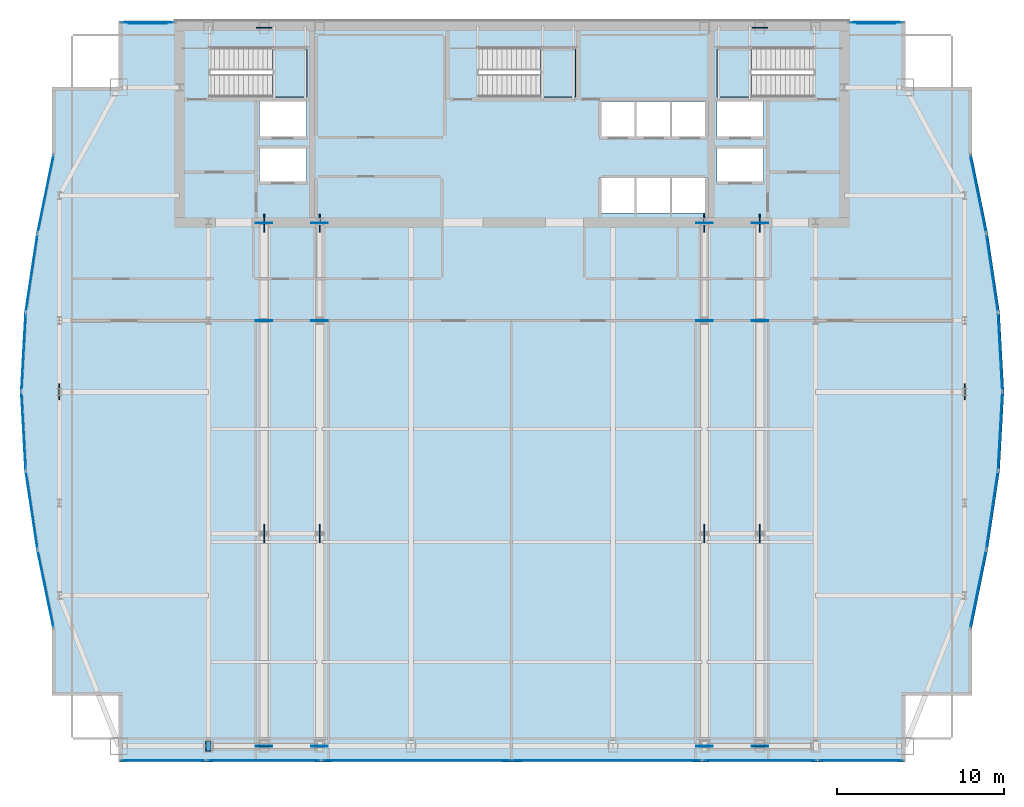
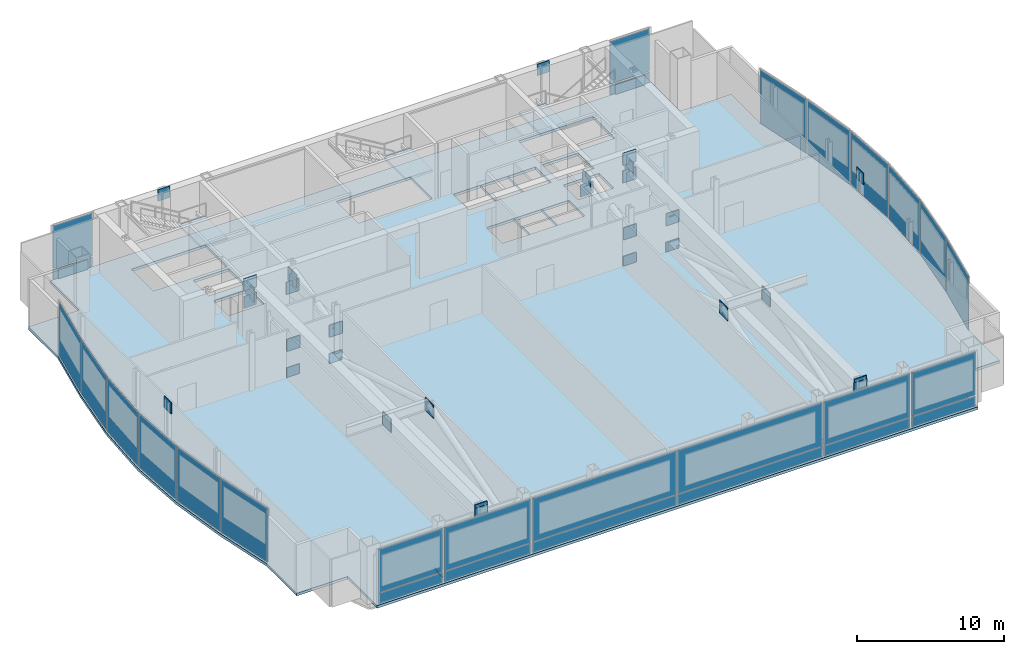
# One storey, part 26 of 32: 65 plates, 4 slabs, 22 elements without a shape of their own.
"""IFC4 building model written with IfcOpenShell, lengths in metres."""

import ifcopenshell
import ifcopenshell.guid

model = None  # the IFC model being written
_history = None  # IfcOwnerHistory: only IFC2X3 demands one
_inside = {}  # id of a spatial element -> (the spatial element, [elements in it])
_under = {}  # id of a project, library or spatial element -> (it, [spatial elements below it])
_declared = {}  # id of a project -> (the project, [libraries it declares])
_typed = {}  # id of a type object -> (the type object, [elements of that type])
_made_of = {}  # id of a material, layer set ... -> (it, [elements and type objects made of it])


def new_model(schema):
    """Start an empty IFC model of exactly this schema.

    Asked for "IFC4X3", IfcOpenShell would pick the latest addendum, in which some entities
    have other attributes; the version numbers below select the first issue.
    IFC2X3 requires an IfcOwnerHistory on every rooted entity: one is made here for all.
    """
    global model, _history
    if schema == "IFC4X3":
        model = ifcopenshell.file(schema_version=(4, 3, 0, 0))
    else:
        model = ifcopenshell.file(schema=schema)
    _inside.clear()
    _under.clear()
    _declared.clear()
    _typed.clear()
    _made_of.clear()
    _history = None
    if model.schema == "IFC2X3":
        org = make("IfcOrganization", Name="unknown")
        user = make(
            "IfcPersonAndOrganization",
            ThePerson=make("IfcPerson", FamilyName="unknown"),
            TheOrganization=org,
        )
        app = make(
            "IfcApplication",
            ApplicationDeveloper=org,
            Version="unknown",
            ApplicationFullName="unknown",
            ApplicationIdentifier="unknown",
        )
        _history = make(
            "IfcOwnerHistory",
            OwningUser=user,
            OwningApplication=app,
            ChangeAction="ADDED",
            CreationDate=0,
        )
    return model


def make(cls, **values):
    """One entity of the class cls with the attributes given. An attribute that is None is left unset."""
    return model.create_entity(
        cls, **{name: value for name, value in values.items() if value is not None}
    )


def rooted(cls, **values):
    """An entity with a GlobalId (a new one), such as an element, a storey or a relation."""
    return make(cls, GlobalId=ifcopenshell.guid.new(), OwnerHistory=_history, **values)


def si_unit(unit_type, name, prefix=None):
    """IfcSIUnit, for example si_unit("LENGTHUNIT", "METRE", prefix="MILLI")."""
    return make("IfcSIUnit", UnitType=unit_type, Prefix=prefix, Name=name)


def assignment(units):
    """IfcUnitAssignment: the units of a project."""
    return None if units is None else make("IfcUnitAssignment", Units=units)


def point(xyz):
    """IfcCartesianPoint."""
    return None if xyz is None else make("IfcCartesianPoint", Coordinates=xyz)


def direction(xyz):
    """IfcDirection."""
    return None if xyz is None else make("IfcDirection", DirectionRatios=xyz)


def frame(location, z_axis=None, x_axis=None):
    """IfcAxis2Placement3D, a coordinate frame: its origin and axes. An axis left out is left unset."""
    return make(
        "IfcAxis2Placement3D",
        Location=point(location),
        Axis=direction(z_axis),
        RefDirection=direction(x_axis),
    )


def frame_2d(location, x_axis=None):
    """IfcAxis2Placement2D, a coordinate frame in the plane: its origin and x axis."""
    return make(
        "IfcAxis2Placement2D", Location=point(location), RefDirection=direction(x_axis)
    )


def origin():
    """The frame at (0, 0, 0) with its axes left unset."""
    return frame((0.0, 0.0, 0.0))


def origin_2d():
    """The frame at (0, 0) in the plane with its x axis left unset."""
    return frame_2d((0.0, 0.0))


def place(relative_to, where):
    """IfcLocalPlacement: puts the frame where relative to a parent placement (None: the world)."""
    return make(
        "IfcLocalPlacement", PlacementRelTo=relative_to, RelativePlacement=where
    )


def context(
    kind, dimensions, precision=None, world=None, true_north=None, identifier=None
):
    """IfcGeometricRepresentationContext, for example the 3D "Model" context."""
    return make(
        "IfcGeometricRepresentationContext",
        ContextIdentifier=identifier,
        ContextType=kind,
        CoordinateSpaceDimension=dimensions,
        Precision=precision,
        WorldCoordinateSystem=world,
        TrueNorth=true_north,
    )


def subcontext(parent, identifier, kind, view, scale=None):
    """IfcGeometricRepresentationSubContext, for example "Body" below "Model"."""
    return make(
        "IfcGeometricRepresentationSubContext",
        ContextIdentifier=identifier,
        ContextType=kind,
        ParentContext=parent,
        TargetScale=scale,
        TargetView=view,
    )


def project(units=None, contexts=None):
    """IfcProject with its units and contexts."""
    return rooted(
        "IfcProject",
        Name="project",
        RepresentationContexts=contexts,
        UnitsInContext=assignment(units),
    )


def spatial(cls, under=None, at=None, **own):
    """A site, building, storey or space (cls), placed at a placement, below another one or the project."""
    s = rooted(cls, ObjectPlacement=at, **own)
    if under is not None:
        _under.setdefault(under.id(), (under, []))[1].append(s)
    return s


def polyline(points):
    """IfcPolyline through the points."""
    return make("IfcPolyline", Points=[point(p) for p in points])


def profile(cls, at=None, kind="AREA", **sizes):
    """A parametric profile (cls). Its sizes go by their IFC names, for example OverallWidth=200.0."""
    return make(cls, ProfileType=kind, Position=at, **sizes)


def rectangle(**sizes):
    """IfcRectangleProfileDef."""
    return profile("IfcRectangleProfileDef", **sizes)


def outline(outer, holes=None, kind="AREA"):
    """IfcArbitraryClosedProfileDef: a profile drawn as a closed curve; with holes, ...WithVoids."""
    if holes is None:
        return make("IfcArbitraryClosedProfileDef", ProfileType=kind, OuterCurve=outer)
    return make(
        "IfcArbitraryProfileDefWithVoids",
        ProfileType=kind,
        OuterCurve=outer,
        InnerCurves=holes,
    )


def extrude(swept, where, along, depth):
    """IfcExtrudedAreaSolid: the profile swept, set in the frame where, extruded along a direction by depth."""
    return make(
        "IfcExtrudedAreaSolid",
        SweptArea=swept,
        Position=where,
        ExtrudedDirection=direction(along),
        Depth=depth,
    )


def shape(context_of_items, identifier, shape_type, items):
    """IfcShapeRepresentation: the items that make up one representation, for example the "Body"."""
    return make(
        "IfcShapeRepresentation",
        ContextOfItems=context_of_items,
        RepresentationIdentifier=identifier,
        RepresentationType=shape_type,
        Items=items,
    )


def material(Name=None, Category=None):
    """IfcMaterial."""
    return make("IfcMaterial", Name=Name, Category=Category)


def layer(
    of_material, thickness, ventilated=None, Name=None, Category=None, Priority=None
):
    """IfcMaterialLayer: one layer of a wall or slab, of a material (None: an air gap)."""
    return make(
        "IfcMaterialLayer",
        Material=of_material,
        LayerThickness=thickness,
        IsVentilated=ventilated,
        Name=Name,
        Category=Category,
        Priority=Priority,
    )


def layer_set(layers, Name=None):
    """IfcMaterialLayerSet."""
    return make("IfcMaterialLayerSet", MaterialLayers=layers, LayerSetName=Name)


def made_of(thing, what):
    """Note that an element or type object is made of a material, layer set ...; save() writes the relation."""
    if what is not None:
        _made_of.setdefault(what.id(), (what, []))[1].append(thing)
    return thing


def type_object(cls, material=None, **own):
    """A type object (cls), such as IfcWallType, which elements share."""
    return made_of(rooted(cls, **own), material)


def element(
    cls,
    number,
    at=None,
    inside=None,
    cuts=None,
    type_object=None,
    material=None,
    context=None,
    identifier="Body",
    shape_type=None,
    held_by="IfcProductDefinitionShape",
    body=None,
    shapes=None,
    **own,
):
    """One element of the class cls, such as IfcWall. Its Tag is "e" and its number.

    at: its placement. inside: the storey or other place that contains it. cuts: it is an
    opening in that element (IfcRelVoidsElement). A single representation is given by context,
    identifier, shape_type and body (its items); several are given by shapes. held_by: the class
    of the entity that holds the representations. save() writes the other relations.
    """
    e = rooted(cls, Tag="e%d" % number, ObjectPlacement=at, **own)
    if body is not None:
        shapes = [shape(context, identifier, shape_type, body)]
    if shapes is not None:
        e.Representation = make(held_by, Representations=shapes)
    if inside is not None:
        _inside.setdefault(inside.id(), (inside, []))[1].append(e)
    if cuts is not None:
        rooted(
            "IfcRelVoidsElement", RelatingBuildingElement=cuts, RelatedOpeningElement=e
        )
    if type_object is not None:
        _typed.setdefault(type_object.id(), (type_object, []))[1].append(e)
    return made_of(e, material)


def aggregate(whole, parts):
    """IfcRelAggregates: a whole, such as a stair, and the parts it consists of."""
    return rooted("IfcRelAggregates", RelatingObject=whole, RelatedObjects=parts)


def save(model, path):
    """Write the relations noted so far, then the file.

    IfcRelAggregates (storeys below a building ...), IfcRelContainedInSpatialStructure (elements
    in a storey), IfcRelDefinesByType, IfcRelAssociatesMaterial and IfcRelDeclares: one each for
    every whole, place, type object, material and project.
    """
    for whole, parts in _under.values():
        aggregate(whole, parts)
    for where, things in _inside.values():
        rooted(
            "IfcRelContainedInSpatialStructure",
            RelatedElements=things,
            RelatingStructure=where,
        )
    for kind, things in _typed.values():
        rooted("IfcRelDefinesByType", RelatedObjects=things, RelatingType=kind)
    for what, things in _made_of.values():
        rooted("IfcRelAssociatesMaterial", RelatedObjects=things, RelatingMaterial=what)
    for by, libraries in _declared.values():
        rooted("IfcRelDeclares", RelatingContext=by, RelatedDefinitions=libraries)
    model.write(path)


model = new_model("IFC4")

# Units and contexts
model_context = context("Model", 3, precision=1e-05, world=origin(), true_north=direction((0.0, 1.0)))
body_context = subcontext(model_context, "Body", "Model", "MODEL_VIEW")
ifc_project = project(units=[si_unit("LENGTHUNIT", "METRE"), si_unit("AREAUNIT", "SQUARE_METRE"), si_unit("VOLUMEUNIT", "CUBIC_METRE"), si_unit("PLANEANGLEUNIT", "RADIAN"), si_unit("MASSUNIT", "GRAM", prefix="KILO")], contexts=[model_context])

# Site, building, storey
site_placement = place(None, origin())
site = spatial("IfcSite", under=ifc_project, at=site_placement, CompositionType="ELEMENT")
building_placement = place(site_placement, origin())
building = spatial("IfcBuilding", under=site, at=building_placement, Name="Khoronbel Lancet Exchange", CompositionType="ELEMENT")
storey_placement = place(building_placement, frame((0.0, 0.0, 257.0)))
storey = spatial("IfcBuildingStorey", under=building, at=storey_placement, Name="L66", CompositionType="ELEMENT", Elevation=257.0)

# Curtain wall, plate
ifc_material_1 = material(Name="Low-E Solar Control Insulating Glass", Category="glass")
curtain_wall_type_1 = type_object("IfcCurtainWallType", Name="CW-4", PredefinedType="NOTDEFINED", material=ifc_material_1)
curtain_wall_1_placement = place(storey_placement, origin())
curtain_wall_1 = element("IfcCurtainWall", 1, at=curtain_wall_1_placement, inside=storey, type_object=curtain_wall_type_1, Name="Unitised curtain wall CW-L66-E05", PredefinedType="NOTDEFINED")
ifc_material_2 = material(Name="Bronze-Anodised Aluminium 6063-T6", Category="aluminium")
ifc_layer_1 = layer(ifc_material_2, 0.050048828125, Name="Bronze-Anodised Aluminium 6063-T6")
ifc_layer_set_1 = layer_set([ifc_layer_1], Name="Bronze-Anodised Aluminium 6063-T6")
plate_type_1 = type_object("IfcPlateType", Name="PLT-CSP1", PredefinedType="SHEET", material=ifc_layer_set_1)
plate_1_placement = place(storey_placement, frame((7.6142578125, 24.33740234375, 0.0849609375), z_axis=(0.0, 0.0, 1.0), x_axis=(-0.147869395619, 0.98900689676, 0.0)))
plate_1 = element("IfcPlate", 2, at=plate_1_placement, type_object=plate_type_1, Name="CW4 panel 1.1", PredefinedType="CURTAIN_PANEL", context=body_context, shape_type="SweptSolid", body=[
    extrude(rectangle(XDim=4.646240234375, YDim=0.0380859375, at=origin_2d()), origin(), (0.0, 0.0, 1.0), 4.469970703125),
])
aggregate(curtain_wall_1, [plate_1])

curtain_wall_2_placement = place(storey_placement, origin())
curtain_wall_2 = element("IfcCurtainWall", 3, at=curtain_wall_2_placement, inside=storey, type_object=curtain_wall_type_1, Name="Unitised curtain wall CW-L66-E06", PredefinedType="NOTDEFINED")
plate_2_placement = place(storey_placement, frame((7.1298828125, 29.07958984375, 0.0849609375), z_axis=(0.0, 0.0, 1.0), x_axis=(-0.05463363027, 0.998506467903, 0.0)))
plate_2 = element("IfcPlate", 4, at=plate_2_placement, type_object=plate_type_1, Name="CW4 panel 1.1", PredefinedType="CURTAIN_PANEL", context=body_context, shape_type="SweptSolid", body=[
    extrude(rectangle(XDim=4.597900390625, YDim=0.0380859375, at=origin_2d()), origin(), (0.0, 0.0, 1.0), 4.469970703125),
])
aggregate(curtain_wall_2, [plate_2])

curtain_wall_3_placement = place(storey_placement, origin())
curtain_wall_3 = element("IfcCurtainWall", 5, at=curtain_wall_3_placement, inside=storey, type_object=curtain_wall_type_1, Name="Unitised curtain wall CW-L66-E07", PredefinedType="NOTDEFINED")
plate_3_placement = place(storey_placement, frame((7.1298828125, 33.820556640625, 0.0849609375), z_axis=(0.0, 0.0, 1.0), x_axis=(0.05463363027, 0.998506467903, 0.0)))
plate_3 = element("IfcPlate", 6, at=plate_3_placement, type_object=plate_type_1, Name="CW4 panel 1.1", PredefinedType="CURTAIN_PANEL", context=body_context, shape_type="SweptSolid", body=[
    extrude(rectangle(XDim=4.597900390625, YDim=0.0380859375, at=origin_2d()), origin(), (0.0, 0.0, 1.0), 4.469970703125),
])
aggregate(curtain_wall_3, [plate_3])

curtain_wall_4_placement = place(storey_placement, origin())
curtain_wall_4 = element("IfcCurtainWall", 7, at=curtain_wall_4_placement, inside=storey, type_object=curtain_wall_type_1, Name="Unitised curtain wall CW-L66-E08", PredefinedType="NOTDEFINED")
plate_4_placement = place(storey_placement, frame((7.6142578125, 38.5625, 0.0849609375), z_axis=(0.0, 0.0, 1.0), x_axis=(0.147869395619, 0.98900689676, 0.0)))
plate_4 = element("IfcPlate", 8, at=plate_4_placement, type_object=plate_type_1, Name="CW4 panel 1.1", PredefinedType="CURTAIN_PANEL", context=body_context, shape_type="SweptSolid", body=[
    extrude(rectangle(XDim=4.646240234375, YDim=0.0380859375, at=origin_2d()), origin(), (0.0, 0.0, 1.0), 4.469970703125),
])
aggregate(curtain_wall_4, [plate_4])

curtain_wall_type_2 = type_object("IfcCurtainWallType", Name="CW-3", PredefinedType="NOTDEFINED", material=ifc_material_1)
curtain_wall_5_placement = place(storey_placement, origin())
curtain_wall_5 = element("IfcCurtainWall", 9, at=curtain_wall_5_placement, inside=storey, type_object=curtain_wall_type_2, Name="Unitised curtain wall CW-L66-NWFLK", PredefinedType="NOTDEFINED")
plate_5_placement = place(storey_placement, frame((14.580078125, 53.550048828125, 0.0498046875), z_axis=(0.0, 0.0, 1.0), x_axis=(-1.0, 0.0, 0.0)))
plate_5 = element("IfcPlate", 10, at=plate_5_placement, type_object=plate_type_1, Name="Insulated bronze spandrel cassette CW-L66-NWFLK", PredefinedType="SHEET", context=body_context, shape_type="SweptSolid", body=[
    extrude(rectangle(XDim=2.2958984375, YDim=0.050048828125, at=origin_2d()), origin(), (0.0, 0.0, 1.0), 0.800048828125),
])

curtain_wall_6_placement = place(storey_placement, origin())
curtain_wall_6 = element("IfcCurtainWall", 11, at=curtain_wall_6_placement, inside=storey, type_object=curtain_wall_type_2, Name="Unitised curtain wall CW-L66-NEFLK", PredefinedType="NOTDEFINED")
plate_6_placement = place(storey_placement, frame((58.320068359375, 53.550048828125, 0.0498046875), z_axis=(0.0, 0.0, 1.0), x_axis=(-1.0, 0.0, 0.0)))
plate_6 = element("IfcPlate", 12, at=plate_6_placement, type_object=plate_type_1, Name="Insulated bronze spandrel cassette CW-L66-NEFLK", PredefinedType="SHEET", context=body_context, shape_type="SweptSolid", body=[
    extrude(rectangle(XDim=2.2958984375, YDim=0.050048828125, at=origin_2d()), origin(), (0.0, 0.0, 1.0), 0.800048828125),
])

curtain_wall_7_placement = place(storey_placement, origin())
curtain_wall_7 = element("IfcCurtainWall", 13, at=curtain_wall_7_placement, inside=storey, type_object=curtain_wall_type_1, Name="Unitised curtain wall CW-L66-E18", PredefinedType="NOTDEFINED")
plate_7_placement = place(storey_placement, frame((65.285888671875, 38.5625, 0.0849609375), z_axis=(0.0, 0.0, 1.0), x_axis=(0.147869395619, -0.98900689676, 0.0)))
plate_7 = element("IfcPlate", 14, at=plate_7_placement, type_object=plate_type_1, Name="CW4 panel 1.1", PredefinedType="CURTAIN_PANEL", context=body_context, shape_type="SweptSolid", body=[
    extrude(rectangle(XDim=4.646240234375, YDim=0.0380859375, at=origin_2d()), origin(), (0.0, 0.0, 1.0), 4.469970703125),
])
aggregate(curtain_wall_7, [plate_7])

curtain_wall_8_placement = place(storey_placement, origin())
curtain_wall_8 = element("IfcCurtainWall", 15, at=curtain_wall_8_placement, inside=storey, type_object=curtain_wall_type_1, Name="Unitised curtain wall CW-L66-E19", PredefinedType="NOTDEFINED")
plate_8_placement = place(storey_placement, frame((65.77001953125, 33.820556640625, 0.0849609375), z_axis=(0.0, 0.0, 1.0), x_axis=(0.05463363027, -0.998506467903, 0.0)))
plate_8 = element("IfcPlate", 16, at=plate_8_placement, type_object=plate_type_1, Name="CW4 panel 1.1", PredefinedType="CURTAIN_PANEL", context=body_context, shape_type="SweptSolid", body=[
    extrude(rectangle(XDim=4.597900390625, YDim=0.0380859375, at=origin_2d()), origin(), (0.0, 0.0, 1.0), 4.469970703125),
])
aggregate(curtain_wall_8, [plate_8])

curtain_wall_9_placement = place(storey_placement, origin())
curtain_wall_9 = element("IfcCurtainWall", 17, at=curtain_wall_9_placement, inside=storey, type_object=curtain_wall_type_1, Name="Unitised curtain wall CW-L66-E20", PredefinedType="NOTDEFINED")
plate_9_placement = place(storey_placement, frame((65.77001953125, 29.07958984375, 0.0849609375), z_axis=(0.0, 0.0, 1.0), x_axis=(-0.05463363027, -0.998506467903, 0.0)))
plate_9 = element("IfcPlate", 18, at=plate_9_placement, type_object=plate_type_1, Name="CW4 panel 1.1", PredefinedType="CURTAIN_PANEL", context=body_context, shape_type="SweptSolid", body=[
    extrude(rectangle(XDim=4.597900390625, YDim=0.0380859375, at=origin_2d()), origin(), (0.0, 0.0, 1.0), 4.469970703125),
])
aggregate(curtain_wall_9, [plate_9])

curtain_wall_10_placement = place(storey_placement, origin())
curtain_wall_10 = element("IfcCurtainWall", 19, at=curtain_wall_10_placement, inside=storey, type_object=curtain_wall_type_1, Name="Unitised curtain wall CW-L66-E21", PredefinedType="NOTDEFINED")
plate_10_placement = place(storey_placement, frame((65.285888671875, 24.33740234375, 0.0849609375), z_axis=(0.0, 0.0, 1.0), x_axis=(-0.147869395619, -0.98900689676, 0.0)))
plate_10 = element("IfcPlate", 20, at=plate_10_placement, type_object=plate_type_1, Name="CW4 panel 1.1", PredefinedType="CURTAIN_PANEL", context=body_context, shape_type="SweptSolid", body=[
    extrude(rectangle(XDim=4.646240234375, YDim=0.0380859375, at=origin_2d()), origin(), (0.0, 0.0, 1.0), 4.469970703125),
])
aggregate(curtain_wall_10, [plate_10])

# Curtain wall, plates
curtain_wall_11_placement = place(storey_placement, origin())
curtain_wall_11 = element("IfcCurtainWall", 21, at=curtain_wall_11_placement, inside=storey, type_object=curtain_wall_type_2, Name="Unitised curtain wall CW-L66-SWB", PredefinedType="NOTDEFINED")
plate_11_placement = place(storey_placement, frame((21.550048828125, 9.2900390625, 0.0849609375), z_axis=(0.0, 0.0, 1.0), x_axis=(1.0, 0.0, 0.0)))
plate_11 = element("IfcPlate", 22, at=plate_11_placement, type_object=plate_type_1, Name="CW3 panel 1.1", PredefinedType="CURTAIN_PANEL", context=body_context, shape_type="SweptSolid", body=[
    extrude(rectangle(XDim=6.72998046875, YDim=0.0380859375, at=origin_2d()), origin(), (0.0, 0.0, 1.0), 0.822509765625),
])
plate_12_placement = place(storey_placement, frame((21.550048828125, 9.2900390625, 0.992431640625), z_axis=(0.0, 0.0, 1.0), x_axis=(1.0, 0.0, 0.0)))
plate_12 = element("IfcPlate", 23, at=plate_12_placement, type_object=plate_type_1, Name="CW3 panel 1.2", PredefinedType="CURTAIN_PANEL", context=body_context, shape_type="SweptSolid", body=[
    extrude(rectangle(XDim=6.72998046875, YDim=0.0380859375, at=origin_2d()), origin(), (0.0, 0.0, 1.0), 3.5625),
])
aggregate(curtain_wall_11, [plate_11, plate_12])

curtain_wall_12_placement = place(storey_placement, origin())
curtain_wall_12 = element("IfcCurtainWall", 24, at=curtain_wall_12_placement, inside=storey, type_object=curtain_wall_type_2, Name="Unitised curtain wall CW-L66-SEB", PredefinedType="NOTDEFINED")
plate_13_placement = place(storey_placement, frame((51.35009765625, 9.2900390625, 0.0849609375), z_axis=(0.0, 0.0, 1.0), x_axis=(1.0, 0.0, 0.0)))
plate_13 = element("IfcPlate", 25, at=plate_13_placement, type_object=plate_type_1, Name="CW3 panel 1.1", PredefinedType="CURTAIN_PANEL", context=body_context, shape_type="SweptSolid", body=[
    extrude(rectangle(XDim=6.72998046875, YDim=0.0380859375, at=origin_2d()), origin(), (0.0, 0.0, 1.0), 0.822509765625),
])
plate_14_placement = place(storey_placement, frame((51.35009765625, 9.2900390625, 0.992431640625), z_axis=(0.0, 0.0, 1.0), x_axis=(1.0, 0.0, 0.0)))
plate_14 = element("IfcPlate", 26, at=plate_14_placement, type_object=plate_type_1, Name="CW3 panel 1.2", PredefinedType="CURTAIN_PANEL", context=body_context, shape_type="SweptSolid", body=[
    extrude(rectangle(XDim=6.72998046875, YDim=0.0380859375, at=origin_2d()), origin(), (0.0, 0.0, 1.0), 3.5625),
])
aggregate(curtain_wall_12, [plate_13, plate_14])

# Plate
ifc_layer_2 = layer(ifc_material_1, 0.035888671875, Name="Low-E Solar Control Insulating Glass")
ifc_layer_set_2 = layer_set([ifc_layer_2], Name="Low-E Solar Control Insulating Glass")
plate_type_2 = type_object("IfcPlateType", Name="PLT-CWP1", PredefinedType="CURTAIN_PANEL", material=ifc_layer_set_2)
plate_15_placement = place(storey_placement, frame((14.580078125, 53.610107421875, 0.0849609375), z_axis=(0.0, 0.0, 1.0), x_axis=(-1.0, 0.0, 0.0)))
plate_15 = element("IfcPlate", 27, at=plate_15_placement, type_object=plate_type_2, Name="CW3 panel 1.1", PredefinedType="CURTAIN_PANEL", context=body_context, shape_type="SweptSolid", body=[
    extrude(rectangle(XDim=3.110107421875, YDim=0.0380859375, at=origin_2d()), origin(), (0.0, 0.0, 1.0), 0.822509765625),
])

plate_16_placement = place(storey_placement, frame((14.580078125, 53.610107421875, 0.992431640625), z_axis=(0.0, 0.0, 1.0), x_axis=(-1.0, 0.0, 0.0)))
plate_16 = element("IfcPlate", 28, at=plate_16_placement, type_object=plate_type_2, Name="CW3 panel 1.2", PredefinedType="CURTAIN_PANEL", context=body_context, shape_type="SweptSolid", body=[
    extrude(rectangle(XDim=3.110107421875, YDim=0.0380859375, at=origin_2d()), origin(), (0.0, 0.0, 1.0), 3.5625),
])

aggregate(curtain_wall_5, [plate_15, plate_16, plate_5])

plate_17_placement = place(storey_placement, frame((58.320068359375, 53.610107421875, 0.0849609375), z_axis=(0.0, 0.0, 1.0), x_axis=(-1.0, 0.0, 0.0)))
plate_17 = element("IfcPlate", 29, at=plate_17_placement, type_object=plate_type_2, Name="CW3 panel 1.1", PredefinedType="CURTAIN_PANEL", context=body_context, shape_type="SweptSolid", body=[
    extrude(rectangle(XDim=3.110107421875, YDim=0.0380859375, at=origin_2d()), origin(), (0.0, 0.0, 1.0), 0.822509765625),
])

plate_18_placement = place(storey_placement, frame((58.320068359375, 53.610107421875, 0.992431640625), z_axis=(0.0, 0.0, 1.0), x_axis=(-1.0, 0.0, 0.0)))
plate_18 = element("IfcPlate", 30, at=plate_18_placement, type_object=plate_type_2, Name="CW3 panel 1.2", PredefinedType="CURTAIN_PANEL", context=body_context, shape_type="SweptSolid", body=[
    extrude(rectangle(XDim=3.110107421875, YDim=0.0380859375, at=origin_2d()), origin(), (0.0, 0.0, 1.0), 3.5625),
])

aggregate(curtain_wall_6, [plate_17, plate_18, plate_6])

# Curtain wall, plates
curtain_wall_13_placement = place(storey_placement, origin())
curtain_wall_13 = element("IfcCurtainWall", 31, at=curtain_wall_13_placement, inside=storey, type_object=curtain_wall_type_2, Name="Unitised curtain wall CW-L66-SWV", PredefinedType="NOTDEFINED")
plate_19_placement = place(storey_placement, frame((15.52001953125, 9.2900390625, 0.0849609375), z_axis=(0.0, 0.0, 1.0), x_axis=(1.0, 0.0, 0.0)))
plate_19 = element("IfcPlate", 32, at=plate_19_placement, type_object=plate_type_2, Name="CW3 panel 1.1", PredefinedType="CURTAIN_PANEL", context=body_context, shape_type="SweptSolid", body=[
    extrude(rectangle(XDim=4.989990234375, YDim=0.0380859375, at=origin_2d()), origin(), (0.0, 0.0, 1.0), 0.822509765625),
])
plate_20_placement = place(storey_placement, frame((15.52001953125, 9.2900390625, 0.992431640625), z_axis=(0.0, 0.0, 1.0), x_axis=(1.0, 0.0, 0.0)))
plate_20 = element("IfcPlate", 33, at=plate_20_placement, type_object=plate_type_2, Name="CW3 panel 1.2", PredefinedType="CURTAIN_PANEL", context=body_context, shape_type="SweptSolid", body=[
    extrude(rectangle(XDim=4.989990234375, YDim=0.0380859375, at=origin_2d()), origin(), (0.0, 0.0, 1.0), 3.5625),
])
aggregate(curtain_wall_13, [plate_19, plate_20])

curtain_wall_14_placement = place(storey_placement, origin())
curtain_wall_14 = element("IfcCurtainWall", 34, at=curtain_wall_14_placement, inside=storey, type_object=curtain_wall_type_2, Name="Unitised curtain wall CW-L66-SCV", PredefinedType="NOTDEFINED")
plate_21_placement = place(storey_placement, frame((30.746337890625, 9.2900390625, 0.0849609375), z_axis=(0.0, 0.0, 1.0), x_axis=(1.0, 0.0, 0.0)))
plate_21 = element("IfcPlate", 35, at=plate_21_placement, type_object=plate_type_2, Name="CW3 panel 1.1", PredefinedType="CURTAIN_PANEL", context=body_context, shape_type="SweptSolid", body=[
    extrude(rectangle(XDim=11.322509765625, YDim=0.0380859375, at=origin_2d()), origin(), (0.0, 0.0, 1.0), 0.822509765625),
])
plate_22_placement = place(storey_placement, frame((30.746337890625, 9.2900390625, 0.992431640625), z_axis=(0.0, 0.0, 1.0), x_axis=(1.0, 0.0, 0.0)))
plate_22 = element("IfcPlate", 36, at=plate_22_placement, type_object=plate_type_2, Name="CW3 panel 1.2", PredefinedType="CURTAIN_PANEL", context=body_context, shape_type="SweptSolid", body=[
    extrude(rectangle(XDim=11.322509765625, YDim=0.0380859375, at=origin_2d()), origin(), (0.0, 0.0, 1.0), 3.5625),
])
plate_23_placement = place(storey_placement, frame((42.15380859375, 9.2900390625, 0.0849609375), z_axis=(0.0, 0.0, 1.0), x_axis=(1.0, 0.0, 0.0)))
plate_23 = element("IfcPlate", 37, at=plate_23_placement, type_object=plate_type_2, Name="CW3 panel 2.1", PredefinedType="CURTAIN_PANEL", context=body_context, shape_type="SweptSolid", body=[
    extrude(rectangle(XDim=11.322509765625, YDim=0.0380859375, at=origin_2d()), origin(), (0.0, 0.0, 1.0), 0.822509765625),
])
plate_24_placement = place(storey_placement, frame((42.15380859375, 9.2900390625, 0.992431640625), z_axis=(0.0, 0.0, 1.0), x_axis=(1.0, 0.0, 0.0)))
plate_24 = element("IfcPlate", 38, at=plate_24_placement, type_object=plate_type_2, Name="CW3 panel 2.2", PredefinedType="CURTAIN_PANEL", context=body_context, shape_type="SweptSolid", body=[
    extrude(rectangle(XDim=11.322509765625, YDim=0.0380859375, at=origin_2d()), origin(), (0.0, 0.0, 1.0), 3.5625),
])
aggregate(curtain_wall_14, [plate_21, plate_22, plate_23, plate_24])

curtain_wall_15_placement = place(storey_placement, origin())
curtain_wall_15 = element("IfcCurtainWall", 39, at=curtain_wall_15_placement, inside=storey, type_object=curtain_wall_type_2, Name="Unitised curtain wall CW-L66-SEV", PredefinedType="NOTDEFINED")
plate_25_placement = place(storey_placement, frame((57.3798828125, 9.2900390625, 0.0849609375), z_axis=(0.0, 0.0, 1.0), x_axis=(1.0, 0.0, 0.0)))
plate_25 = element("IfcPlate", 40, at=plate_25_placement, type_object=plate_type_2, Name="CW3 panel 1.1", PredefinedType="CURTAIN_PANEL", context=body_context, shape_type="SweptSolid", body=[
    extrude(rectangle(XDim=4.989990234375, YDim=0.0380859375, at=origin_2d()), origin(), (0.0, 0.0, 1.0), 0.822509765625),
])
plate_26_placement = place(storey_placement, frame((57.3798828125, 9.2900390625, 0.992431640625), z_axis=(0.0, 0.0, 1.0), x_axis=(1.0, 0.0, 0.0)))
plate_26 = element("IfcPlate", 41, at=plate_26_placement, type_object=plate_type_2, Name="CW3 panel 1.2", PredefinedType="CURTAIN_PANEL", context=body_context, shape_type="SweptSolid", body=[
    extrude(rectangle(XDim=4.989990234375, YDim=0.0380859375, at=origin_2d()), origin(), (0.0, 0.0, 1.0), 3.5625),
])
aggregate(curtain_wall_15, [plate_25, plate_26])

# Curtain wall, plate
curtain_wall_16_placement = place(storey_placement, origin())
curtain_wall_16 = element("IfcCurtainWall", 42, at=curtain_wall_16_placement, inside=storey, type_object=curtain_wall_type_1, Name="Unitised curtain wall CW-L66-E04", PredefinedType="NOTDEFINED")
ifc_material_3 = material(Name="Ceramic-Fritted Laminated Insulating Glass", Category="glass")
ifc_layer_3 = layer(ifc_material_3, 0.0419921875, Name="Ceramic-Fritted Laminated Insulating Glass")
ifc_layer_set_3 = layer_set([ifc_layer_3], Name="Ceramic-Fritted Laminated Insulating Glass")
plate_type_3 = type_object("IfcPlateType", Name="PLT-CWP2", PredefinedType="CURTAIN_PANEL", material=ifc_layer_set_3)
plate_27_placement = place(storey_placement, frame((8.454345703125, 19.58740234375, 0.0849609375), z_axis=(0.0, 0.0, 1.0), x_axis=(-0.200052024611, 0.979785276195, 0.0)))
plate_27 = element("IfcPlate", 43, at=plate_27_placement, type_object=plate_type_3, Name="CW4 panel 1.1", PredefinedType="CURTAIN_PANEL", context=body_context, shape_type="SweptSolid", body=[
    extrude(rectangle(XDim=4.704833984375, YDim=0.0380859375, at=origin_2d()), origin(), (0.0, 0.0, 1.0), 4.469970703125),
])
aggregate(curtain_wall_16, [plate_27])

curtain_wall_17_placement = place(storey_placement, origin())
curtain_wall_17 = element("IfcCurtainWall", 44, at=curtain_wall_17_placement, inside=storey, type_object=curtain_wall_type_1, Name="Unitised curtain wall CW-L66-E09", PredefinedType="NOTDEFINED")
plate_28_placement = place(storey_placement, frame((8.454345703125, 43.3125, 0.0849609375), z_axis=(0.0, 0.0, 1.0), x_axis=(0.200052024611, 0.979785276195, 0.0)))
plate_28 = element("IfcPlate", 45, at=plate_28_placement, type_object=plate_type_3, Name="CW4 panel 1.1", PredefinedType="CURTAIN_PANEL", context=body_context, shape_type="SweptSolid", body=[
    extrude(rectangle(XDim=4.704833984375, YDim=0.0380859375, at=origin_2d()), origin(), (0.0, 0.0, 1.0), 4.469970703125),
])
aggregate(curtain_wall_17, [plate_28])

curtain_wall_18_placement = place(storey_placement, origin())
curtain_wall_18 = element("IfcCurtainWall", 46, at=curtain_wall_18_placement, inside=storey, type_object=curtain_wall_type_1, Name="Unitised curtain wall CW-L66-E17", PredefinedType="NOTDEFINED")
plate_29_placement = place(storey_placement, frame((64.445556640625, 43.3125, 0.0849609375), z_axis=(0.0, 0.0, 1.0), x_axis=(0.200052024611, -0.979785276195, 0.0)))
plate_29 = element("IfcPlate", 47, at=plate_29_placement, type_object=plate_type_3, Name="CW4 panel 1.1", PredefinedType="CURTAIN_PANEL", context=body_context, shape_type="SweptSolid", body=[
    extrude(rectangle(XDim=4.704833984375, YDim=0.0380859375, at=origin_2d()), origin(), (0.0, 0.0, 1.0), 4.469970703125),
])
aggregate(curtain_wall_18, [plate_29])

curtain_wall_19_placement = place(storey_placement, origin())
curtain_wall_19 = element("IfcCurtainWall", 48, at=curtain_wall_19_placement, inside=storey, type_object=curtain_wall_type_1, Name="Unitised curtain wall CW-L66-E22", PredefinedType="NOTDEFINED")
plate_30_placement = place(storey_placement, frame((64.445556640625, 19.58740234375, 0.0849609375), z_axis=(0.0, 0.0, 1.0), x_axis=(-0.200052024611, -0.979785276195, 0.0)))
plate_30 = element("IfcPlate", 49, at=plate_30_placement, type_object=plate_type_3, Name="CW4 panel 1.1", PredefinedType="CURTAIN_PANEL", context=body_context, shape_type="SweptSolid", body=[
    extrude(rectangle(XDim=4.704833984375, YDim=0.0380859375, at=origin_2d()), origin(), (0.0, 0.0, 1.0), 4.469970703125),
])
aggregate(curtain_wall_19, [plate_30])

# Plates
ifc_material_4 = material(Name="Steel S460", Category="steel")
ifc_layer_4 = layer(ifc_material_4, 0.044921875, Name="Steel S460")
ifc_layer_set_4 = layer_set([ifc_layer_4], Name="Steel S460")
plate_type_4 = type_object("IfcPlateType", Name="PLT-ECP1", PredefinedType="USERDEFINED", material=ifc_layer_set_4)
for number, where, z_axis, x_axis, name in (
    (50, (21.5625, 10.139892578125, -0.199951171875), (0.0, 0.0, 1.0), (0.0, -1.0, 0.0), "Hollow end cap plate PLT-CAP-MEM-L66-OCH1-BOT-S"),
    (51, (21.5625, 35.7099609375, -0.199951171875), (0.0, 0.0, 1.0), (0.0, 1.0, 0.0), "Hollow end cap plate PLT-CAP-MEM-L66-OCH1-BOT-N"),
    (52, (21.5625, 35.68994140625, 2.179931640625), (0.0, 0.0, 1.0), (0.0, -1.0, 0.0), "Hollow end cap plate PLT-CAP-MEM-L66-OCH1-COR-S"),
    (53, (21.5625, 41.56005859375, 2.179931640625), (0.0, 0.0, 1.0), (0.0, 1.0, 0.0), "Hollow end cap plate PLT-CAP-MEM-L66-OCH1-COR-N"),
    (54, (21.5625, 10.139892578125, 3.639892578125), (0.0, 0.0, 1.0), (0.0, -1.0, 0.0), "Hollow end cap plate PLT-CAP-MEM-L66-OCH1-TOP-S"),
    (55, (21.5625, 41.56005859375, 3.639892578125), (0.0, 0.0, 1.0), (0.0, 1.0, 0.0), "Hollow end cap plate PLT-CAP-MEM-L66-OCH1-TOP-N"),
    (56, (24.89990234375, 10.139892578125, -0.199951171875), (0.0, 0.0, 1.0), (0.0, -1.0, 0.0), "Hollow end cap plate PLT-CAP-MEM-L66-OCH2-BOT-S"),
    (57, (24.89990234375, 35.7099609375, -0.199951171875), (0.0, 0.0, 1.0), (0.0, 1.0, 0.0), "Hollow end cap plate PLT-CAP-MEM-L66-OCH2-BOT-N"),
    (58, (24.89990234375, 35.68994140625, 2.179931640625), (0.0, 0.0, 1.0), (0.0, -1.0, 0.0), "Hollow end cap plate PLT-CAP-MEM-L66-OCH2-COR-S"),
    (59, (24.89990234375, 41.56005859375, 2.179931640625), (0.0, 0.0, 1.0), (0.0, 1.0, 0.0), "Hollow end cap plate PLT-CAP-MEM-L66-OCH2-COR-N"),
    (60, (48.0, 10.139892578125, -0.199951171875), (0.0, 0.0, 1.0), (0.0, -1.0, 0.0), "Hollow end cap plate PLT-CAP-MEM-L66-OCH3-BOT-S"),
    (61, (48.0, 35.7099609375, -0.199951171875), (0.0, 0.0, 1.0), (0.0, 1.0, 0.0), "Hollow end cap plate PLT-CAP-MEM-L66-OCH3-BOT-N"),
    (62, (48.0, 35.68994140625, 2.179931640625), (0.0, 0.0, 1.0), (0.0, -1.0, 0.0), "Hollow end cap plate PLT-CAP-MEM-L66-OCH3-COR-S"),
    (63, (48.0, 41.56005859375, 2.179931640625), (0.0, 0.0, 1.0), (0.0, 1.0, 0.0), "Hollow end cap plate PLT-CAP-MEM-L66-OCH3-COR-N"),
    (64, (51.33740234375, 10.139892578125, -0.199951171875), (0.0, 0.0, 1.0), (0.0, -1.0, 0.0), "Hollow end cap plate PLT-CAP-MEM-L66-OCH4-BOT-S"),
    (65, (51.33740234375, 35.7099609375, -0.199951171875), (0.0, 0.0, 1.0), (0.0, 1.0, 0.0), "Hollow end cap plate PLT-CAP-MEM-L66-OCH4-BOT-N"),
    (66, (51.33740234375, 35.68994140625, 2.179931640625), (0.0, 0.0, 1.0), (0.0, -1.0, 0.0), "Hollow end cap plate PLT-CAP-MEM-L66-OCH4-COR-S"),
    (67, (51.33740234375, 41.56005859375, 2.179931640625), (0.0, 0.0, 1.0), (0.0, 1.0, 0.0), "Hollow end cap plate PLT-CAP-MEM-L66-OCH4-COR-N"),
    (68, (51.33740234375, 10.139892578125, 3.639892578125), (0.0, 0.0, 1.0), (0.0, -1.0, 0.0), "Hollow end cap plate PLT-CAP-MEM-L66-OCH4-TOP-S"),
    (69, (51.33740234375, 41.56005859375, 3.639892578125), (0.0, 0.0, 1.0), (0.0, 1.0, 0.0), "Hollow end cap plate PLT-CAP-MEM-L66-OCH4-TOP-N"),
):
    element("IfcPlate", number, at=place(storey_placement, frame(where, z_axis=z_axis, x_axis=x_axis)), inside=storey, type_object=plate_type_4, Name=name, ObjectType="STIFFENER_PLATE", PredefinedType="USERDEFINED", context=body_context, shape_type="SweptSolid", body=[
        extrude(rectangle(XDim=0.044921875, YDim=1.0, at=origin_2d()), origin(), (0.0, 0.0, 1.0), 1.0),
    ])
plate_31_placement = place(storey_placement, frame((18.380126953125, 9.860107421875, 0.0546875), z_axis=(0.866710695082, 0.0, 0.498811157684), x_axis=(0.0, 1.0, 0.0)))
element("IfcPlate", 70, at=plate_31_placement, inside=storey, type_object=plate_type_4, Name="Hollow end cap plate PLT-CAP-MEM-L66-BELT-1-0", ObjectType="STIFFENER_PLATE", PredefinedType="USERDEFINED", context=body_context, shape_type="SweptSolid", body=[
    extrude(outline(polyline([(0.0, 0.0), (0.579833984375, 0.0), (0.579833984375, 0.580078125), (0.0, 0.580078125), (0.0, 0.0)])), origin(), (0.0, 0.0, -1.0), 0.044921875),
])
ifc_layer_5 = layer(ifc_material_4, 0.06005859375, Name="Steel S460")
ifc_layer_set_5 = layer_set([ifc_layer_5], Name="Steel S460")
plate_type_5 = type_object("IfcPlateType", Name="PLT-ND3", PredefinedType="USERDEFINED", material=ifc_layer_set_5)
for number, where, z_axis, x_axis, name in (
    (71, (21.5625, 10.14990234375, 3.97509765625), (0.0, 0.0, 1.0), (1.0, 0.0, 0.0), "ND3 perimeter brace node gusset T22-S-W"),
    (72, (51.33740234375, 10.14990234375, 3.97509765625), (0.0, 0.0, 1.0), (1.0, 0.0, 0.0), "ND3 perimeter brace node gusset T22-S-E"),
    (73, (21.5625, 53.280029296875, 3.97509765625), (0.0, 0.0, 1.0), (1.0, 0.0, 0.0), "ND3 perimeter brace node gusset T22-N-W"),
    (74, (51.33740234375, 53.280029296875, 3.97509765625), (0.0, 0.0, 1.0), (1.0, 0.0, 0.0), "ND3 perimeter brace node gusset T22-N-E"),
    (75, (9.27001953125, 31.425048828125, 3.97509765625), (0.0, 0.0, 1.0), (0.0, 1.0, 0.0), "ND3 perimeter brace node gusset T22-W-P"),
    (76, (63.6298828125, 31.425048828125, 3.97509765625), (0.0, 0.0, 1.0), (0.0, 1.0, 0.0), "ND3 perimeter brace node gusset T22-E-P"),
):
    element("IfcPlate", number, at=place(storey_placement, frame(where, z_axis=z_axis, x_axis=x_axis)), inside=storey, type_object=plate_type_5, Name=name, ObjectType="GUSSET_PLATE", PredefinedType="USERDEFINED", context=body_context, shape_type="SweptSolid", body=[
        extrude(rectangle(XDim=0.949951171875, YDim=0.06005859375, at=origin_2d()), origin(), (0.0, 0.0, 1.0), 0.949951171875),
    ])
ifc_layer_6 = layer(ifc_material_4, 0.06005859375, Name="Steel S460")
ifc_layer_set_6 = layer_set([ifc_layer_6], Name="Steel S460")
plate_type_6 = type_object("IfcPlateType", Name="PLT-ND5", PredefinedType="USERDEFINED", material=ifc_layer_set_6)
for number, where, z_axis, x_axis, name in (
    (77, (21.5625, 22.925048828125, 3.33984375), (0.0, 0.0, 1.0), (1.0, 0.0, 0.0), "ND5 outrigger apex node gusset L66-1"),
    (78, (21.5625, 41.550048828125, 2.85986328125), (0.0, 0.0, 1.0), (1.0, 0.0, 0.0), "ND5 outrigger core embed node gusset L66-1"),
    (79, (24.89990234375, 22.925048828125, 3.33984375), (0.0, 0.0, 1.0), (1.0, 0.0, 0.0), "ND5 outrigger apex node gusset L66-2"),
    (80, (24.89990234375, 41.550048828125, 2.85986328125), (0.0, 0.0, 1.0), (1.0, 0.0, 0.0), "ND5 outrigger core embed node gusset L66-2"),
    (81, (48.0, 22.925048828125, 3.33984375), (0.0, 0.0, 1.0), (1.0, 0.0, 0.0), "ND5 outrigger apex node gusset L66-3"),
    (82, (48.0, 41.550048828125, 2.85986328125), (0.0, 0.0, 1.0), (1.0, 0.0, 0.0), "ND5 outrigger core embed node gusset L66-3"),
    (83, (51.33740234375, 22.925048828125, 3.33984375), (0.0, 0.0, 1.0), (1.0, 0.0, 0.0), "ND5 outrigger apex node gusset L66-4"),
    (84, (51.33740234375, 41.550048828125, 2.85986328125), (0.0, 0.0, 1.0), (1.0, 0.0, 0.0), "ND5 outrigger core embed node gusset L66-4"),
):
    element("IfcPlate", number, at=place(storey_placement, frame(where, z_axis=z_axis, x_axis=x_axis)), inside=storey, type_object=plate_type_6, Name=name, ObjectType="GUSSET_PLATE", PredefinedType="USERDEFINED", context=body_context, shape_type="SweptSolid", body=[
        extrude(rectangle(XDim=0.06005859375, YDim=1.10009765625, at=origin_2d()), origin(), (0.0, 0.0, 1.0), 1.10009765625),
    ])

# Slab
ifc_material_5 = material(Name="Concrete C40/50", Category="concrete")
ifc_layer_7 = layer(ifc_material_5, 0.219970703125, Name="Concrete C40/50")
ifc_layer_set_7 = layer_set([ifc_layer_7], Name="Concrete C40/50")
slab_type_1 = type_object("IfcSlabType", Name="SL-FL220", PredefinedType="FLOOR", material=ifc_layer_set_7)
slab_1_placement = place(storey_placement, frame((0.0, 0.0, -0.219970703125)))
element("IfcSlab", 85, at=slab_1_placement, inside=storey, type_object=slab_type_1, Name="Level L66 composite structural floor slab", PredefinedType="FLOOR", context=body_context, shape_type="SweptSolid", body=[
    extrude(outline(polyline([(12.85009765625, 9.199951171875), (60.050048828125, 9.199951171875), (60.050048828125, 13.199951171875), (64.050048828125, 13.199951171875), (64.050048828125, 17.199951171875), (65.02001953125, 21.949951171875), (65.72998046875, 26.699951171875), (65.989990234375, 31.449951171875), (65.72998046875, 36.199951171875), (65.02001953125, 40.949951171875), (64.050048828125, 45.699951171875), (64.050048828125, 49.699951171875), (60.050048828125, 49.699951171875), (60.050048828125, 53.699951171875), (12.85009765625, 53.699951171875), (12.85009765625, 49.699951171875), (8.85009765625, 49.699951171875), (8.85009765625, 45.699951171875), (7.880126953125, 40.949951171875), (7.169921875, 36.199951171875), (6.91015625, 31.449951171875), (7.169921875, 26.699951171875), (7.880126953125, 21.949951171875), (8.85009765625, 17.199951171875), (8.85009765625, 13.199951171875), (12.85009765625, 13.199951171875), (12.85009765625, 9.199951171875)]), holes=[polyline([(18.324951171875, 49.1201171875), (24.14990234375, 49.1201171875), (24.14990234375, 52.10009765625), (18.324951171875, 52.10009765625), (18.324951171875, 49.1201171875)]), polyline([(48.75, 49.1201171875), (54.574951171875, 49.1201171875), (54.574951171875, 52.10009765625), (48.75, 52.10009765625), (48.75, 49.1201171875)]), polyline([(34.425048828125, 49.1201171875), (40.25, 49.1201171875), (40.25, 52.10009765625), (34.425048828125, 52.10009765625), (34.425048828125, 49.1201171875)]), polyline([(41.739990234375, 46.75), (43.8798828125, 46.75), (43.8798828125, 48.85009765625), (41.739990234375, 48.85009765625), (41.739990234375, 46.75)]), polyline([(43.89990234375, 46.75), (46.0400390625, 46.75), (46.0400390625, 48.85009765625), (43.89990234375, 48.85009765625), (43.89990234375, 46.75)]), polyline([(46.06005859375, 46.75), (48.199951171875, 46.75), (48.199951171875, 48.85009765625), (46.06005859375, 48.85009765625), (46.06005859375, 46.75)]), polyline([(41.739990234375, 42.14990234375), (43.8798828125, 42.14990234375), (43.8798828125, 44.300048828125), (41.739990234375, 44.300048828125), (41.739990234375, 42.14990234375)]), polyline([(43.89990234375, 42.14990234375), (46.0400390625, 42.14990234375), (46.0400390625, 44.300048828125), (43.89990234375, 44.300048828125), (43.89990234375, 42.14990234375)]), polyline([(46.06005859375, 42.14990234375), (48.199951171875, 42.14990234375), (48.199951171875, 44.300048828125), (46.06005859375, 44.300048828125), (46.06005859375, 42.14990234375)]), polyline([(21.300048828125, 46.75), (24.10009765625, 46.75), (24.10009765625, 48.85009765625), (21.300048828125, 48.85009765625), (21.300048828125, 46.75)]), polyline([(48.75, 46.75), (51.550048828125, 46.75), (51.550048828125, 48.85009765625), (48.75, 48.85009765625), (48.75, 46.75)]), polyline([(21.300048828125, 44.050048828125), (24.10009765625, 44.050048828125), (24.10009765625, 46.050048828125), (21.300048828125, 46.050048828125), (21.300048828125, 44.050048828125)]), polyline([(48.75, 44.050048828125), (51.550048828125, 44.050048828125), (51.550048828125, 46.050048828125), (48.75, 46.050048828125), (48.75, 44.050048828125)])]), origin(), (0.0, 0.0, 1.0), 0.219970703125),
])

# Stair, slab
stair_type = type_object("IfcStairType", Name="STR-CORE150", PredefinedType="HALF_TURN_STAIR", material=ifc_material_5)
stair_1_placement = place(storey_placement, origin())
stair_1 = element("IfcStair", 86, at=stair_1_placement, inside=storey, type_object=stair_type, Name="L66 Protected Exit Stair ST1", PredefinedType="HALF_TURN_STAIR")
ifc_layer_8 = layer(ifc_material_5, 0.199951171875, Name="Concrete C40/50")
ifc_layer_set_8 = layer_set([ifc_layer_8], Name="Concrete C40/50")
slab_type_2 = type_object("IfcSlabType", Name="SL-LND180", PredefinedType="LANDING", material=ifc_layer_set_8)
slab_2_placement = place(storey_placement, frame((0.0, 0.0, 2.199951171875)))
slab_2 = element("IfcSlab", 87, at=slab_2_placement, type_object=slab_type_2, Name="ST1 landing 1", PredefinedType="LANDING", context=body_context, shape_type="SweptSolid", body=[
    extrude(outline(polyline([(22.070068359375, 49.1201171875), (24.14990234375, 49.1201171875), (24.14990234375, 52.10009765625), (22.070068359375, 52.10009765625), (22.070068359375, 49.1201171875)])), origin(), (0.0, 0.0, 1.0), 0.199951171875),
])
aggregate(stair_1, [slab_2])

stair_2_placement = place(storey_placement, origin())
stair_2 = element("IfcStair", 88, at=stair_2_placement, inside=storey, type_object=stair_type, Name="L66 Protected Exit Stair ST2", PredefinedType="HALF_TURN_STAIR")
slab_3_placement = place(storey_placement, frame((0.0, 0.0, 2.199951171875)))
slab_3 = element("IfcSlab", 89, at=slab_3_placement, type_object=slab_type_2, Name="ST2 landing 1", PredefinedType="LANDING", context=body_context, shape_type="SweptSolid", body=[
    extrude(outline(polyline([(50.830078125, 52.10009765625), (48.75, 52.10009765625), (48.75, 49.1201171875), (50.830078125, 49.1201171875), (50.830078125, 52.10009765625)])), origin(), (0.0, 0.0, 1.0), 0.199951171875),
])
aggregate(stair_2, [slab_3])

stair_3_placement = place(storey_placement, origin())
stair_3 = element("IfcStair", 90, at=stair_3_placement, inside=storey, type_object=stair_type, Name="L66 Protected Exit Stair ST3", PredefinedType="HALF_TURN_STAIR")
slab_4_placement = place(storey_placement, frame((0.0, 0.0, 2.199951171875)))
slab_4 = element("IfcSlab", 91, at=slab_4_placement, type_object=slab_type_2, Name="ST3 landing 1", PredefinedType="LANDING", context=body_context, shape_type="SweptSolid", body=[
    extrude(outline(polyline([(38.169921875, 49.1201171875), (40.25, 49.1201171875), (40.25, 52.10009765625), (38.169921875, 52.10009765625), (38.169921875, 49.1201171875)])), origin(), (0.0, 0.0, 1.0), 0.199951171875),
])
aggregate(stair_3, [slab_4])

save(model, "model.ifc")
